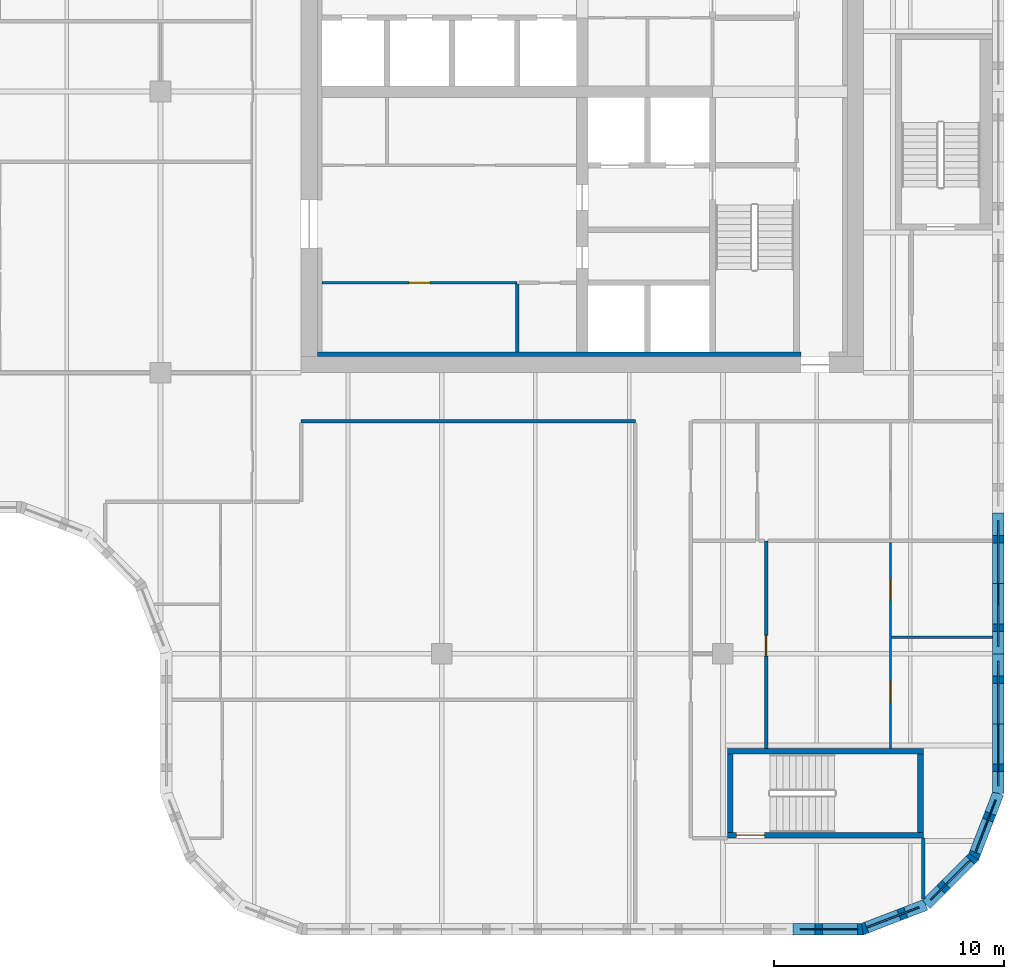
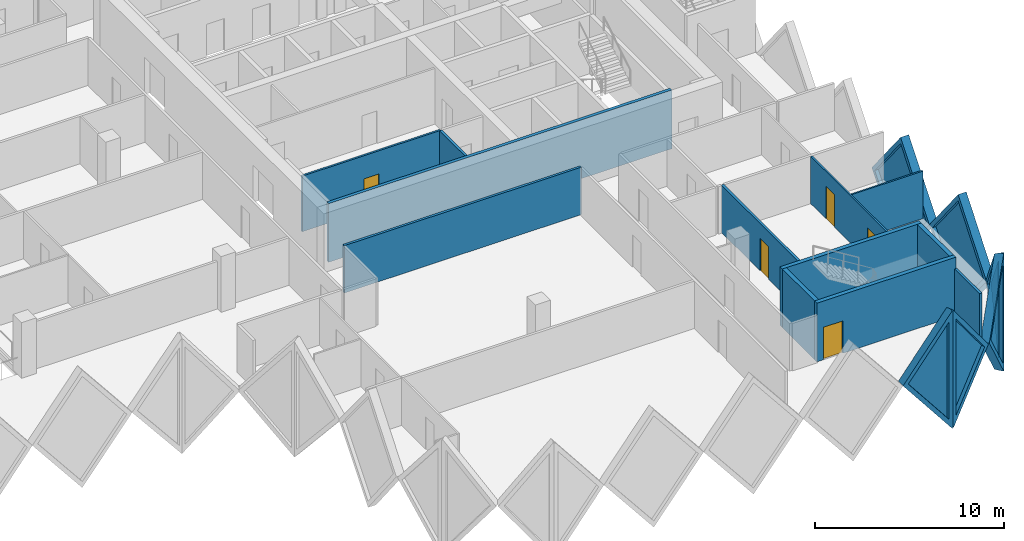
# One storey, part 5 of 12: 18 walls, 6 plates, 5 doors, 11 openings.
"""IFC4 building model written with IfcOpenShell, lengths in metres."""

from ifc_helpers import new_model, si_unit, direction, frame, frame_2d, origin, place, context, subcontext, project, spatial, polyline, rectangle, outline, extrude, faceted_brep, source, transform, mapped, material, layer, layer_set, type_object, element, fill, save


model = new_model("IFC4")

# Units and contexts
model_context = context("Model", 3, precision=1e-05, world=origin(), true_north=direction((0.0, 1.0)))
body_context = subcontext(model_context, "Body", "Model", "MODEL_VIEW")
ifc_project = project(units=[si_unit("LENGTHUNIT", "METRE"), si_unit("AREAUNIT", "SQUARE_METRE"), si_unit("VOLUMEUNIT", "CUBIC_METRE"), si_unit("PLANEANGLEUNIT", "RADIAN"), si_unit("MASSUNIT", "GRAM", prefix="KILO")], contexts=[model_context])

# Site, building, storey
site_placement = place(None, origin())
site = spatial("IfcSite", under=ifc_project, at=site_placement, CompositionType="ELEMENT")
building_placement = place(site_placement, origin())
building = spatial("IfcBuilding", under=site, at=building_placement, Name="Tessera Gate Towers", CompositionType="ELEMENT")
storey_placement = place(building_placement, frame((0.0, 0.0, 135.39990234375)))
storey = spatial("IfcBuildingStorey", under=building, at=storey_placement, Name="L33", CompositionType="ELEMENT", Elevation=135.39990234375)

# Wall, opening, door
ifc_material_1 = material(Name="Concrete C40/50", Category="concrete")
ifc_layer_1 = layer(ifc_material_1, 0.25)
ifc_layer_set_1 = layer_set([ifc_layer_1], Name="CORE ENCLOSURE WALL 250")
wall_type_1 = type_object("IfcWallType", Name="CORE ENCLOSURE WALL 250", PredefinedType="SOLIDWALL", material=ifc_layer_set_1)
wall_1_placement = place(storey_placement, frame((57.5, 4.324951171875, 0.0), z_axis=(0.0, 0.0, 1.0), x_axis=(-1.0, 0.0, 0.0)))
wall_1 = element("IfcWall", 1, at=wall_1_placement, inside=storey, type_object=wall_type_1, Name="L33 ST4 enclosure wall", PredefinedType="SOLIDWALL", context=body_context, shape_type="SweptSolid", body=[
    extrude(rectangle(XDim=8.5, YDim=0.25, at=frame_2d((4.25, 0.0))), origin(), (0.0, 0.0, 1.0), 3.800048828125),
])
shared_shape_1 = source(origin(), body_context, "Body", "SweptSolid", [
    extrude(rectangle(XDim=1.199951171875, YDim=2.10009765625, at=frame_2d((0.60009765625, 1.050048828125))), frame((0.0, 0.135009765625, 0.0), z_axis=(0.0, -1.0, 0.0), x_axis=(1.0, 0.0, 0.0)), (0.0, 0.0, 1.0), 0.27001953125),
])
opening_1_placement = place(wall_1_placement, frame((6.89990234375, 0.0, 0.0)))
opening_1 = element("IfcOpeningElement", 2, at=opening_1_placement, cuts=wall_1, Name="Opening SD-ST4-1", PredefinedType="OPENING", context=body_context, shape_type="MappedRepresentation", body=[
    mapped(shared_shape_1, transform((0.0, 0.0, 0.0), scale=1.0)),
])
ifc_material_2 = material(Name="Hollow steel fire door", Category="steel")
door_type_1 = type_object("IfcDoorType", Name="CORE DOOR SD 1200x2100", OperationType="NOTDEFINED", PredefinedType="DOOR", material=ifc_material_2)
shared_shape_2 = source(origin(), body_context, "Body", "SweptSolid", [
    extrude(rectangle(XDim=1.199951171875, YDim=2.10009765625, at=frame_2d((0.60009765625, 1.050048828125))), frame((0.0, 0.02490234375, 0.0), z_axis=(0.0, -1.0, 0.0), x_axis=(1.0, 0.0, 0.0)), (0.0, 0.0, 1.0), 0.050048828125),
])
door_1_placement = place(opening_1_placement, origin())
door_1 = element("IfcDoor", 3, at=door_1_placement, inside=storey, type_object=door_type_1, Name="Stair door", OperationType="SINGLE_SWING_RIGHT", OverallHeight=2.10009765625, OverallWidth=1.199951171875, PredefinedType="DOOR", context=body_context, shape_type="MappedRepresentation", body=[
    mapped(shared_shape_2, transform((0.0, 0.0, 0.0), scale=1.0)),
])
fill(opening_1, door_1)

# Walls
wall_2_placement = place(storey_placement, frame((49.125, 4.449951171875, 0.0), z_axis=(0.0, 0.0, 1.0), x_axis=(0.0, 1.0, 0.0)))
element("IfcWall", 4, at=wall_2_placement, inside=storey, type_object=wall_type_1, Name="L33 ST4 enclosure wall", PredefinedType="SOLIDWALL", context=body_context, shape_type="SweptSolid", body=[
    extrude(rectangle(XDim=3.400146484375, YDim=0.25, at=frame_2d((1.7001953125, 0.0))), origin(), (0.0, 0.0, 1.0), 3.800048828125),
])
wall_3_placement = place(storey_placement, frame((49.0, 7.97509765625, 0.0), z_axis=(0.0, 0.0, 1.0), x_axis=(1.0, 0.0, 0.0)))
element("IfcWall", 5, at=wall_3_placement, inside=storey, type_object=wall_type_1, Name="L33 ST4 enclosure wall", PredefinedType="SOLIDWALL", context=body_context, shape_type="SweptSolid", body=[
    extrude(rectangle(XDim=8.5, YDim=0.25, at=frame_2d((4.25, 0.0))), origin(), (0.0, 0.0, 1.0), 3.800048828125),
])
wall_4_placement = place(storey_placement, frame((57.375, 7.85009765625, 0.0), z_axis=(0.0, 0.0, 1.0), x_axis=(0.0, -1.0, 0.0)))
element("IfcWall", 6, at=wall_4_placement, inside=storey, type_object=wall_type_1, Name="L33 ST4 enclosure wall", PredefinedType="SOLIDWALL", context=body_context, shape_type="SweptSolid", body=[
    extrude(rectangle(XDim=3.400146484375, YDim=0.25, at=frame_2d((1.7001953125, 0.0))), origin(), (0.0, 0.0, 1.0), 3.800048828125),
])

# Wall, opening, door
ifc_material_3 = material(Name="Gypsum board on steel studs", Category="steel")
ifc_layer_2 = layer(ifc_material_3, 0.1201171875)
ifc_layer_set_2 = layer_set([ifc_layer_2], Name="CORE PARTITION 120")
wall_type_2 = type_object("IfcWallType", Name="CORE PARTITION 120", PredefinedType="PARTITIONING", material=ifc_layer_set_2)
wall_5_placement = place(storey_placement, frame((39.875, 28.300048828125, 0.0), z_axis=(0.0, 0.0, 1.0), x_axis=(-1.0, 0.0, 0.0)))
wall_5 = element("IfcWall", 7, at=wall_5_placement, inside=storey, type_object=wall_type_2, Name="L33 core partition", PredefinedType="PARTITIONING", context=body_context, shape_type="SweptSolid", body=[
    extrude(rectangle(XDim=8.47509765625, YDim=0.1201171875, at=frame_2d((4.237548828125, 0.0))), origin(), (0.0, 0.0, 1.0), 3.60009765625),
])
shared_shape_3 = source(origin(), body_context, "Body", "SweptSolid", [
    extrude(rectangle(XDim=0.89990234375, YDim=2.10009765625, at=frame_2d((0.449951171875, 1.050048828125))), frame((0.0, 0.070068359375, 0.0), z_axis=(0.0, -1.0, 0.0), x_axis=(1.0, 0.0, 0.0)), (0.0, 0.0, 1.0), 0.14013671875),
])
opening_2_placement = place(wall_5_placement, frame((3.78759765625, 0.0, 0.0)))
opening_2 = element("IfcOpeningElement", 8, at=opening_2_placement, cuts=wall_5, Name="Opening RD-T1-22-09", PredefinedType="OPENING", context=body_context, shape_type="MappedRepresentation", body=[
    mapped(shared_shape_3, transform((0.0, 0.0, 0.0), scale=1.0)),
])
ifc_material_4 = material(Name="Hollow steel fire door", Category="steel")
door_type_2 = type_object("IfcDoorType", Name="CORE DOOR RD 900x2100", OperationType="NOTDEFINED", PredefinedType="DOOR", material=ifc_material_4)
shared_shape_4 = source(origin(), body_context, "Body", "SweptSolid", [
    extrude(rectangle(XDim=0.89990234375, YDim=2.10009765625, at=frame_2d((0.449951171875, 1.050048828125))), frame((0.0, 0.02490234375, 0.0), z_axis=(0.0, -1.0, 0.0), x_axis=(1.0, 0.0, 0.0)), (0.0, 0.0, 1.0), 0.050048828125),
])
door_2_placement = place(opening_2_placement, origin())
door_2 = element("IfcDoor", 9, at=door_2_placement, inside=storey, type_object=door_type_2, Name="Core room door", OperationType="SINGLE_SWING_RIGHT", OverallHeight=2.10009765625, OverallWidth=0.89990234375, PredefinedType="DOOR", context=body_context, shape_type="MappedRepresentation", body=[
    mapped(shared_shape_4, transform((0.0, 0.0, 0.0), scale=1.0)),
])
fill(opening_2, door_2)

# Walls
ifc_material_5 = material(Name="Concrete C60/75", Category="concrete")
ifc_layer_3 = layer(ifc_material_5, 0.199951171875)
ifc_layer_set_3 = layer_set([ifc_layer_3], Name="CORE WALL THICKENING 200")
wall_type_3 = type_object("IfcWallType", Name="CORE WALL THICKENING 200", PredefinedType="SOLIDWALL", material=ifc_layer_set_3)
wall_6_placement = place(storey_placement, frame((31.199951171875, 25.199951171875, 0.0), z_axis=(0.0, 0.0, 1.0), x_axis=(1.0, 0.0, 0.0)))
element("IfcWall", 10, at=wall_6_placement, inside=storey, type_object=wall_type_3, Name="Core wall thickening S L33", PredefinedType="SOLIDWALL", context=body_context, shape_type="SweptSolid", body=[
    extrude(rectangle(XDim=21.0, YDim=0.199951171875, at=frame_2d((10.5, 0.0))), origin(), (0.0, 0.0, 1.0), 3.800048828125),
])
ifc_material_6 = material(Name="Gypsum board on steel studs, mineral wool", Category="steel")
ifc_layer_4 = layer(ifc_material_6, 0.14990234375)
ifc_layer_set_4 = layer_set([ifc_layer_4], Name="CORRIDOR WALL 150")
wall_type_4 = type_object("IfcWallType", Name="CORRIDOR WALL 150", PredefinedType="PARTITIONING", material=ifc_layer_set_4)
wall_7_placement = place(storey_placement, frame((57.5, 1.55908203125, 0.0), z_axis=(0.0, 0.0, 1.0), x_axis=(0.0, 1.0, 0.0)))
element("IfcWall", 11, at=wall_7_placement, inside=storey, type_object=wall_type_4, Name="T1-L33-PW-002", PredefinedType="PARTITIONING", context=body_context, shape_type="SweptSolid", body=[
    extrude(rectangle(XDim=2.640869140625, YDim=0.14990234375, at=frame_2d((1.3203125, 0.0))), origin(), (0.0, 0.0, 1.0), 3.067138671875),
])
wall_8_placement = place(storey_placement, frame((30.5, 22.300048828125, 0.0), z_axis=(0.0, 0.0, 1.0), x_axis=(1.0, 0.0, 0.0)))
element("IfcWall", 12, at=wall_8_placement, inside=storey, type_object=wall_type_4, Name="T1-L33-PW-026", PredefinedType="PARTITIONING", context=body_context, shape_type="SweptSolid", body=[
    extrude(rectangle(XDim=14.5, YDim=0.14990234375, at=frame_2d((7.25, 0.0))), origin(), (0.0, 0.0, 1.0), 3.067138671875),
])

# Wall, openings, doors
ifc_material_7 = material(Name="Gypsum board on steel studs", Category="steel")
ifc_layer_5 = layer(ifc_material_7, 0.10009765625)
ifc_layer_set_5 = layer_set([ifc_layer_5], Name="PARTITION 100")
wall_type_5 = type_object("IfcWallType", Name="PARTITION 100", PredefinedType="PARTITIONING", material=ifc_layer_set_5)
wall_9_placement = place(storey_placement, frame((56.076904296875, 17.02392578125, 0.0), z_axis=(0.0, 0.0, 1.0), x_axis=(0.0, -1.0, 0.0)))
wall_9 = element("IfcWall", 13, at=wall_9_placement, inside=storey, type_object=wall_type_5, Name="T1-L33-PW-008", PredefinedType="PARTITIONING", context=body_context, shape_type="SweptSolid", body=[
    extrude(rectangle(XDim=8.923828125, YDim=0.10009765625, at=frame_2d((4.4619140625, 0.0))), origin(), (0.0, 0.0, 1.0), 3.067138671875),
])
shared_shape_5 = source(origin(), body_context, "Body", "SweptSolid", [
    extrude(rectangle(XDim=0.89990234375, YDim=2.10009765625, at=frame_2d((0.449951171875, 1.050048828125))), frame((0.0, 0.06005859375, 0.0), z_axis=(0.0, -1.0, 0.0), x_axis=(1.0, 0.0, 0.0)), (0.0, 0.0, 1.0), 0.1201171875),
])
opening_3_placement = place(wall_9_placement, frame((1.60791015625, 0.0, 0.0)))
opening_3 = element("IfcOpeningElement", 14, at=opening_3_placement, cuts=wall_9, Name="Opening D190-A12-02", PredefinedType="OPENING", context=body_context, shape_type="MappedRepresentation", body=[
    mapped(shared_shape_5, transform((0.0, 0.0, 0.0), scale=1.0)),
])
opening_4_placement = place(wall_9_placement, frame((6.02392578125, 0.0, 0.0)))
opening_4 = element("IfcOpeningElement", 15, at=opening_4_placement, cuts=wall_9, Name="Opening D190-A12-08", PredefinedType="OPENING", context=body_context, shape_type="MappedRepresentation", body=[
    mapped(shared_shape_5, transform((0.0, 0.0, 0.0), scale=1.0)),
])
ifc_material_8 = material(Name="Timber door leaf in steel frame", Category="steel")
door_type_3 = type_object("IfcDoorType", Name="INTERNAL DOOR 900 NOT RATED", OperationType="NOTDEFINED", PredefinedType="DOOR", material=ifc_material_8)
door_3_placement = place(opening_3_placement, origin())
door_3 = element("IfcDoor", 16, at=door_3_placement, inside=storey, type_object=door_type_3, Name="T1-L33-PD-003", OperationType="SINGLE_SWING_RIGHT", OverallHeight=2.10009765625, OverallWidth=0.89990234375, PredefinedType="DOOR", context=body_context, shape_type="MappedRepresentation", body=[
    mapped(shared_shape_4, transform((0.0, 0.0, 0.0), scale=1.0)),
])
fill(opening_3, door_3)
door_4_placement = place(opening_4_placement, origin())
door_4 = element("IfcDoor", 17, at=door_4_placement, inside=storey, type_object=door_type_3, Name="T1-L33-PD-011", OperationType="SINGLE_SWING_RIGHT", OverallHeight=2.10009765625, OverallWidth=0.89990234375, PredefinedType="DOOR", context=body_context, shape_type="MappedRepresentation", body=[
    mapped(shared_shape_4, transform((0.0, 0.0, 0.0), scale=1.0)),
])
fill(opening_4, door_4)

# Walls
wall_10_placement = place(storey_placement, frame((56.1279296875, 12.9150390625, 0.0), z_axis=(0.0, 0.0, 1.0), x_axis=(1.0, 0.0, 0.0)))
element("IfcWall", 18, at=wall_10_placement, inside=storey, type_object=wall_type_5, Name="T1-L33-PW-013", PredefinedType="PARTITIONING", context=body_context, shape_type="SweptSolid", body=[
    extrude(rectangle(XDim=4.3720703125, YDim=0.10009765625, at=frame_2d((2.18603515625, 0.0))), origin(), (0.0, 0.0, 1.0), 3.067138671875),
])
ifc_material_9 = material(Name="Gypsum board on steel studs", Category="steel")
ifc_layer_6 = layer(ifc_material_9, 0.14990234375)
ifc_layer_set_6 = layer_set([ifc_layer_6], Name="SERVICE ROOM WALL 150")
wall_type_6 = type_object("IfcWallType", Name="SERVICE ROOM WALL 150", PredefinedType="PARTITIONING", material=ifc_layer_set_6)
wall_11_placement = place(storey_placement, frame((39.875, 25.300048828125, 0.0), z_axis=(0.0, 0.0, 1.0), x_axis=(0.0, 1.0, 0.0)))
element("IfcWall", 19, at=wall_11_placement, inside=storey, type_object=wall_type_6, Name="L33 service room wall", PredefinedType="PARTITIONING", context=body_context, shape_type="SweptSolid", body=[
    extrude(rectangle(XDim=2.93994140625, YDim=0.14990234375, at=frame_2d((1.469970703125, 0.0))), origin(), (0.0, 0.0, 1.0), 3.60009765625),
])

# Wall, opening, door
ifc_material_10 = material(Name="Gypsum board on steel studs, mineral wool", Category="steel")
ifc_layer_7 = layer(ifc_material_10, 0.14990234375)
ifc_layer_set_7 = layer_set([ifc_layer_7], Name="TENANCY WALL 150")
wall_type_7 = type_object("IfcWallType", Name="TENANCY WALL 150", PredefinedType="PARTITIONING", material=ifc_layer_set_7)
wall_12_placement = place(storey_placement, frame((50.675048828125, 17.10009765625, 0.0), z_axis=(0.0, 0.0, 1.0), x_axis=(0.0, -1.0, 0.0)))
wall_12 = element("IfcWall", 20, at=wall_12_placement, inside=storey, type_object=wall_type_7, Name="T1-L33-PW-007", PredefinedType="PARTITIONING", context=body_context, shape_type="SweptSolid", body=[
    extrude(rectangle(XDim=9.0, YDim=0.14990234375, at=frame_2d((4.5, 0.0))), origin(), (0.0, 0.0, 1.0), 3.067138671875),
])
shared_shape_6 = source(origin(), body_context, "Body", "SweptSolid", [
    extrude(rectangle(XDim=0.89990234375, YDim=2.10009765625, at=frame_2d((0.449951171875, 1.050048828125))), frame((0.0, 0.0849609375, 0.0), z_axis=(0.0, -1.0, 0.0), x_axis=(1.0, 0.0, 0.0)), (0.0, 0.0, 1.0), 0.169921875),
])
opening_5_placement = place(wall_12_placement, frame((4.10009765625, 0.0, 0.0)))
opening_5 = element("IfcOpeningElement", 21, at=opening_5_placement, cuts=wall_12, Name="Opening D190-A12-15", PredefinedType="OPENING", context=body_context, shape_type="MappedRepresentation", body=[
    mapped(shared_shape_6, transform((0.0, 0.0, 0.0), scale=1.0)),
])
door_5_placement = place(opening_5_placement, origin())
door_5 = element("IfcDoor", 22, at=door_5_placement, inside=storey, type_object=door_type_3, Name="T1-L33-PD-026", OperationType="SINGLE_SWING_RIGHT", OverallHeight=2.10009765625, OverallWidth=0.89990234375, PredefinedType="DOOR", context=body_context, shape_type="MappedRepresentation", body=[
    mapped(shared_shape_4, transform((0.0, 0.0, 0.0), scale=1.0)),
])
fill(opening_5, door_5)

# Wall, opening, plate
ifc_material_11 = material(Name="Precast concrete C60/75 white", Category="concrete")
ifc_layer_8 = layer(ifc_material_11, 0.5)
ifc_layer_set_8 = layer_set([ifc_layer_8], Name="TS1 tessera")
wall_type_8 = type_object("IfcWallType", Name="TS1 tessera", PredefinedType="SOLIDWALL", material=ifc_layer_set_8)
shared_shape_7 = source(origin(), body_context, "Body", "SweptSolid", [
    extrude(outline(polyline([(3.050048828125, 0.0), (6.10009765625, 3.7998046875), (3.050048828125, 7.599853515625), (0.0, 3.7998046875), (3.050048828125, 0.0)])), frame((0.0, 0.25, 0.0), z_axis=(0.0, -1.0, 0.0), x_axis=(1.0, 0.0, 0.0)), (0.0, 0.0, 1.0), 0.5),
])
wall_13_placement = place(storey_placement, frame((60.75, 12.199951171875, -3.7998046875), z_axis=(0.0, 0.0, 1.0), x_axis=(0.0, 1.0, 0.0)))
wall_13 = element("IfcWall", 23, at=wall_13_placement, inside=storey, type_object=wall_type_8, Name="Precast tessera T1 TS1-0556", PredefinedType="SOLIDWALL", context=body_context, shape_type="MappedRepresentation", body=[
    mapped(shared_shape_7, transform((0.0, 0.0, 0.0), scale=1.0)),
])
shared_shape_8 = source(origin(), body_context, "Body", "SweptSolid", [
    extrude(outline(polyline([(3.050048828125, 0.3994140625), (5.779541015625, 3.7998046875), (3.050048828125, 7.200439453125), (0.320556640625, 3.7998046875), (3.050048828125, 0.3994140625)])), frame((0.0, 0.260009765625, 0.0), z_axis=(0.0, -1.0, 0.0), x_axis=(1.0, 0.0, 0.0)), (0.0, 0.0, 1.0), 0.52001953125),
])
opening_6_placement = place(wall_13_placement, origin())
opening_6 = element("IfcOpeningElement", 24, at=opening_6_placement, cuts=wall_13, Name="Opening T1-PL2-1138", PredefinedType="OPENING", context=body_context, shape_type="MappedRepresentation", body=[
    mapped(shared_shape_8, transform((0.0, 0.0, 0.0), scale=1.0)),
])
ifc_material_12 = material(Name="Low-e laminated glass", Category="glass")
ifc_layer_9 = layer(ifc_material_12, 0.06005859375)
ifc_layer_set_9 = layer_set([ifc_layer_9], Name="PL2 rhombic pane")
plate_type = type_object("IfcPlateType", Name="PL2 rhombic pane", PredefinedType="SHEET", material=ifc_layer_set_9)
shared_shape_9 = source(origin(), body_context, "Body", "SweptSolid", [
    extrude(outline(polyline([(3.050048828125, 0.3994140625), (5.779541015625, 3.7998046875), (3.050048828125, 7.200439453125), (0.320556640625, 3.7998046875), (3.050048828125, 0.3994140625)])), frame((0.0, 0.030029296875, 0.0), z_axis=(0.0, -1.0, 0.0), x_axis=(1.0, 0.0, 0.0)), (0.0, 0.0, 1.0), 0.06005859375),
])
plate_1_placement = place(opening_6_placement, origin())
plate_1 = element("IfcPlate", 25, at=plate_1_placement, inside=storey, type_object=plate_type, Name="Glass pane T1 PL2-1138", PredefinedType="SHEET", context=body_context, shape_type="MappedRepresentation", body=[
    mapped(shared_shape_9, transform((0.0, 0.0, 0.0), scale=1.0)),
])
fill(opening_6, plate_1)

ifc_material_13 = material(Name="Precast concrete C60/75 white", Category="concrete")
ifc_layer_10 = layer(ifc_material_13, 0.5)
ifc_layer_set_10 = layer_set([ifc_layer_10], Name="TS3 corner tessera")
wall_type_9 = type_object("IfcWallType", Name="TS3 corner tessera", PredefinedType="SOLIDWALL", material=ifc_layer_set_10)
shared_shape_10 = source(origin(), body_context, "Body", "Brep", [
    faceted_brep([(3.00341796875, -0.25, 0.0), (3.050048828125, -0.25, 0.06005859375), (3.050048828125, -0.25, 7.539794921875), (3.00341796875, -0.25, 7.599853515625), (0.0, -0.25, 3.7998046875), (0.0, 0.25, 3.7998046875), (2.956787109375, 0.25, 7.541015625), (2.956787109375, 0.25, 0.058837890625), (3.00341796875, 0.000244140625, 0.0), (3.00341796875, 0.000244140625, 7.599853515625)], [[[0, 1, 2, 3, 4]], [[5, 6, 7]], [[1, 0, 8]], [[9, 3, 2]], [[6, 5, 4, 3, 9]], [[5, 7, 8, 0, 4]], [[1, 8, 7, 6, 9, 2]]]),
])
wall_14_placement = place(storey_placement, frame((51.85009765625, 0.25, -3.7998046875), z_axis=(0.0, 0.0, 1.0), x_axis=(1.0, 0.0, 0.0)))
wall_14 = element("IfcWall", 26, at=wall_14_placement, inside=storey, type_object=wall_type_9, Name="Precast corner tessera T1 TS3-0747", PredefinedType="SOLIDWALL", context=body_context, shape_type="MappedRepresentation", body=[
    mapped(shared_shape_10, transform((0.0, 0.0, 0.0), scale=1.0)),
])
shared_shape_11 = source(origin(), body_context, "Body", "SweptSolid", [
    extrude(outline(polyline([(2.803466796875, 6.943603515625), (0.318603515625, 3.7998046875), (2.803466796875, 0.656005859375), (2.803466796875, 6.943603515625)])), frame((0.0, 0.260009765625, 0.0), z_axis=(0.0, -1.0, 0.0), x_axis=(1.0, 0.0, 0.0)), (0.0, 0.0, 1.0), 0.52001953125),
])
opening_7_placement = place(wall_14_placement, origin())
opening_7 = element("IfcOpeningElement", 27, at=opening_7_placement, cuts=wall_14, Name="Opening T1-PL2-1133", PredefinedType="OPENING", context=body_context, shape_type="MappedRepresentation", body=[
    mapped(shared_shape_11, transform((0.0, 0.0, 0.0), scale=1.0)),
])
shared_shape_12 = source(origin(), body_context, "Body", "SweptSolid", [
    extrude(outline(polyline([(2.803466796875, 6.943603515625), (0.318603515625, 3.7998046875), (2.803466796875, 0.656005859375), (2.803466796875, 6.943603515625)])), frame((0.0, 0.030029296875, 0.0), z_axis=(0.0, -1.0, 0.0), x_axis=(1.0, 0.0, 0.0)), (0.0, 0.0, 1.0), 0.06005859375),
])
plate_2_placement = place(opening_7_placement, origin())
plate_2 = element("IfcPlate", 28, at=plate_2_placement, inside=storey, type_object=plate_type, Name="Glass pane T1 PL2-1133", PredefinedType="SHEET", context=body_context, shape_type="MappedRepresentation", body=[
    mapped(shared_shape_12, transform((0.0, 0.0, 0.0), scale=1.0)),
])
fill(opening_7, plate_2)

shared_shape_13 = source(origin(), body_context, "Body", "Brep", [
    faceted_brep([(0.046630859375, -0.25, 0.0), (2.9970703125, -0.25, 3.7998046875), (0.046630859375, -0.25, 7.599853515625), (0.0, -0.25, 7.541015625), (0.0, -0.25, 0.058837890625), (0.09326171875, 0.25, 7.539794921875), (2.9443359375, 0.25, 3.867919921875), (2.9443359375, 0.25, 3.731689453125), (0.09326171875, 0.25, 0.06005859375), (2.9970703125, 0.00048828125, 3.7998046875), (0.046630859375, 0.0, 0.0), (0.046630859375, 0.0, 7.599853515625)], [[[0, 1, 2, 3, 4]], [[5, 6, 7, 8]], [[8, 7, 9, 1, 0, 10]], [[6, 5, 11, 2, 1, 9]], [[3, 2, 11]], [[10, 0, 4]], [[8, 10, 4, 3, 11, 5]], [[9, 7, 6]]]),
])
wall_15_placement = place(storey_placement, frame((54.81005859375, 0.233154296875, -3.7998046875), z_axis=(0.0, 0.0, 1.0), x_axis=(0.932990326376, 0.359901446078, 0.0)))
wall_15 = element("IfcWall", 29, at=wall_15_placement, inside=storey, type_object=wall_type_9, Name="Precast corner tessera T1 TS3-0748", PredefinedType="SOLIDWALL", context=body_context, shape_type="MappedRepresentation", body=[
    mapped(shared_shape_13, transform((0.0, 0.0, 0.0), scale=1.0)),
])
shared_shape_14 = source(origin(), body_context, "Body", "SweptSolid", [
    extrude(outline(polyline([(0.24658203125, 0.6650390625), (2.6806640625, 3.7998046875), (0.24658203125, 6.9345703125), (0.24658203125, 0.6650390625)])), frame((0.0, 0.260009765625, 0.0), z_axis=(0.0, -1.0, 0.0), x_axis=(1.0, 0.0, 0.0)), (0.0, 0.0, 1.0), 0.52001953125),
])
opening_8_placement = place(wall_15_placement, origin())
opening_8 = element("IfcOpeningElement", 30, at=opening_8_placement, cuts=wall_15, Name="Opening T1-PL2-1134", PredefinedType="OPENING", context=body_context, shape_type="MappedRepresentation", body=[
    mapped(shared_shape_14, transform((0.0, 0.0, 0.0), scale=1.0)),
])
shared_shape_15 = source(origin(), body_context, "Body", "SweptSolid", [
    extrude(outline(polyline([(0.24658203125, 0.6650390625), (2.6806640625, 3.7998046875), (0.24658203125, 6.9345703125), (0.24658203125, 0.6650390625)])), frame((0.0, 0.030029296875, 0.0), z_axis=(0.0, -1.0, 0.0), x_axis=(1.0, 0.0, 0.0)), (0.0, 0.0, 1.0), 0.06005859375),
])
plate_3_placement = place(opening_8_placement, origin())
plate_3 = element("IfcPlate", 31, at=plate_3_placement, inside=storey, type_object=plate_type, Name="Glass pane T1 PL2-1134", PredefinedType="SHEET", context=body_context, shape_type="MappedRepresentation", body=[
    mapped(shared_shape_15, transform((0.0, 0.0, 0.0), scale=1.0)),
])
fill(opening_8, plate_3)

shared_shape_16 = source(origin(), body_context, "Body", "Brep", [
    faceted_brep([(2.944091796875, -0.25, 0.0), (2.9970703125, -0.25, 0.068115234375), (2.9970703125, -0.25, 7.53173828125), (2.944091796875, -0.25, 7.599853515625), (0.0, -0.25, 3.7998046875), (0.052978515625, 0.25, 3.8681640625), (2.89111328125, 0.25, 7.53173828125), (2.89111328125, 0.25, 0.068115234375), (0.052978515625, 0.25, 3.7314453125), (2.944091796875, 0.000244140625, 0.0), (2.944091796875, 0.000244140625, 7.599853515625), (0.0, 0.0, 3.7998046875)], [[[0, 1, 2, 3, 4]], [[5, 6, 7, 8]], [[1, 0, 9]], [[10, 3, 2]], [[6, 5, 11, 4, 3, 10]], [[8, 7, 9, 0, 4, 11]], [[8, 11, 5]], [[1, 9, 7, 6, 10, 2]]]),
])
wall_16_placement = place(storey_placement, frame((57.606201171875, 1.31201171875, -3.7998046875), z_axis=(0.0, 0.0, 1.0), x_axis=(0.707147509625, 0.707066050402, 0.0)))
wall_16 = element("IfcWall", 32, at=wall_16_placement, inside=storey, type_object=wall_type_9, Name="Precast corner tessera T1 TS3-0749", PredefinedType="SOLIDWALL", context=body_context, shape_type="MappedRepresentation", body=[
    mapped(shared_shape_16, transform((0.0, 0.0, 0.0), scale=1.0)),
])
shared_shape_17 = source(origin(), body_context, "Body", "SweptSolid", [
    extrude(outline(polyline([(2.744140625, 6.93359375), (0.316162109375, 3.7998046875), (2.744140625, 0.666259765625), (2.744140625, 6.93359375)])), frame((0.0, 0.260009765625, 0.0), z_axis=(0.0, -1.0, 0.0), x_axis=(1.0, 0.0, 0.0)), (0.0, 0.0, 1.0), 0.52001953125),
])
opening_9_placement = place(wall_16_placement, origin())
opening_9 = element("IfcOpeningElement", 33, at=opening_9_placement, cuts=wall_16, Name="Opening T1-PL2-1135", PredefinedType="OPENING", context=body_context, shape_type="MappedRepresentation", body=[
    mapped(shared_shape_17, transform((0.0, 0.0, 0.0), scale=1.0)),
])
shared_shape_18 = source(origin(), body_context, "Body", "SweptSolid", [
    extrude(outline(polyline([(2.744140625, 6.93359375), (0.316162109375, 3.7998046875), (2.744140625, 0.666259765625), (2.744140625, 6.93359375)])), frame((0.0, 0.030029296875, 0.0), z_axis=(0.0, -1.0, 0.0), x_axis=(1.0, 0.0, 0.0)), (0.0, 0.0, 1.0), 0.06005859375),
])
plate_4_placement = place(opening_9_placement, origin())
plate_4 = element("IfcPlate", 34, at=plate_4_placement, inside=storey, type_object=plate_type, Name="Glass pane T1 PL2-1135", PredefinedType="SHEET", context=body_context, shape_type="MappedRepresentation", body=[
    mapped(shared_shape_18, transform((0.0, 0.0, 0.0), scale=1.0)),
])
fill(opening_9, plate_4)

shared_shape_19 = source(origin(), body_context, "Body", "Brep", [
    faceted_brep([(0.052978515625, -0.25, 0.0), (3.00341796875, -0.25, 3.7998046875), (0.052978515625, -0.25, 7.599853515625), (0.0, -0.25, 7.531494140625), (0.0, -0.25, 0.068359375), (0.10595703125, 0.25, 7.53173828125), (2.95703125, 0.25, 3.859619140625), (2.95703125, 0.25, 3.739990234375), (0.10595703125, 0.25, 0.068115234375), (3.00341796875, 0.00048828125, 3.7998046875), (0.052978515625, 0.0, 0.0), (0.052978515625, 0.0, 7.599853515625)], [[[0, 1, 2, 3, 4]], [[5, 6, 7, 8]], [[8, 7, 9, 1, 0, 10]], [[6, 5, 11, 2, 1, 9]], [[3, 2, 11]], [[10, 0, 4]], [[8, 10, 4, 3, 11, 5]], [[9, 7, 6]]]),
])
wall_17_placement = place(storey_placement, frame((59.6689453125, 3.34423828125, -3.7998046875), z_axis=(0.0, 0.0, 1.0), x_axis=(0.35992665181, 0.932980602862, 0.0)))
wall_17 = element("IfcWall", 35, at=wall_17_placement, inside=storey, type_object=wall_type_9, Name="Precast corner tessera T1 TS3-0750", PredefinedType="SOLIDWALL", context=body_context, shape_type="MappedRepresentation", body=[
    mapped(shared_shape_19, transform((0.0, 0.0, 0.0), scale=1.0)),
])
shared_shape_20 = source(origin(), body_context, "Body", "SweptSolid", [
    extrude(outline(polyline([(0.2529296875, 0.6650390625), (2.68701171875, 3.7998046875), (0.2529296875, 6.9345703125), (0.2529296875, 0.6650390625)])), frame((0.0, 0.260009765625, 0.0), z_axis=(0.0, -1.0, 0.0), x_axis=(1.0, 0.0, 0.0)), (0.0, 0.0, 1.0), 0.52001953125),
])
opening_10_placement = place(wall_17_placement, origin())
opening_10 = element("IfcOpeningElement", 36, at=opening_10_placement, cuts=wall_17, Name="Opening T1-PL2-1136", PredefinedType="OPENING", context=body_context, shape_type="MappedRepresentation", body=[
    mapped(shared_shape_20, transform((0.0, 0.0, 0.0), scale=1.0)),
])
shared_shape_21 = source(origin(), body_context, "Body", "SweptSolid", [
    extrude(outline(polyline([(0.2529296875, 0.6650390625), (2.68701171875, 3.7998046875), (0.2529296875, 6.9345703125), (0.2529296875, 0.6650390625)])), frame((0.0, 0.030029296875, 0.0), z_axis=(0.0, -1.0, 0.0), x_axis=(1.0, 0.0, 0.0)), (0.0, 0.0, 1.0), 0.06005859375),
])
plate_5_placement = place(opening_10_placement, origin())
plate_5 = element("IfcPlate", 37, at=plate_5_placement, inside=storey, type_object=plate_type, Name="Glass pane T1 PL2-1136", PredefinedType="SHEET", context=body_context, shape_type="MappedRepresentation", body=[
    mapped(shared_shape_21, transform((0.0, 0.0, 0.0), scale=1.0)),
])
fill(opening_10, plate_5)

shared_shape_22 = source(origin(), body_context, "Body", "Brep", [
    faceted_brep([(3.00341796875, -0.25, 0.0), (6.053466796875, -0.25, 3.7998046875), (3.00341796875, -0.25, 7.599853515625), (0.0, -0.25, 3.7998046875), (0.046630859375, 0.25, 3.858642578125), (3.00341796875, 0.25, 7.599853515625), (6.053466796875, 0.25, 3.7998046875), (3.00341796875, 0.25, 0.0), (0.046630859375, 0.25, 3.740966796875), (0.0, 0.0, 3.7998046875)], [[[0, 1, 2, 3]], [[4, 5, 6, 7, 8]], [[7, 6, 1, 0]], [[6, 5, 2, 1]], [[5, 4, 9, 3, 2]], [[8, 7, 0, 3, 9]], [[8, 9, 4]]]),
])
wall_18_placement = place(storey_placement, frame((60.75, 6.146484375, -3.7998046875), z_axis=(0.0, 0.0, 1.0), x_axis=(0.0, 1.0, 0.0)))
wall_18 = element("IfcWall", 38, at=wall_18_placement, inside=storey, type_object=wall_type_8, Name="Precast tessera T1 TS1-0555", PredefinedType="SOLIDWALL", context=body_context, shape_type="MappedRepresentation", body=[
    mapped(shared_shape_22, transform((0.0, 0.0, 0.0), scale=1.0)),
])
shared_shape_23 = source(origin(), body_context, "Body", "SweptSolid", [
    extrude(outline(polyline([(3.0048828125, 0.401123046875), (5.73291015625, 3.7998046875), (3.0048828125, 7.19873046875), (0.318603515625, 3.7998046875), (3.0048828125, 0.401123046875)])), frame((0.0, 0.260009765625, 0.0), z_axis=(0.0, -1.0, 0.0), x_axis=(1.0, 0.0, 0.0)), (0.0, 0.0, 1.0), 0.52001953125),
])
opening_11_placement = place(wall_18_placement, origin())
opening_11 = element("IfcOpeningElement", 39, at=opening_11_placement, cuts=wall_18, Name="Opening T1-PL2-1137", PredefinedType="OPENING", context=body_context, shape_type="MappedRepresentation", body=[
    mapped(shared_shape_23, transform((0.0, 0.0, 0.0), scale=1.0)),
])
shared_shape_24 = source(origin(), body_context, "Body", "SweptSolid", [
    extrude(outline(polyline([(3.0048828125, 0.401123046875), (5.73291015625, 3.7998046875), (3.0048828125, 7.19873046875), (0.318603515625, 3.7998046875), (3.0048828125, 0.401123046875)])), frame((0.0, 0.030029296875, 0.0), z_axis=(0.0, -1.0, 0.0), x_axis=(1.0, 0.0, 0.0)), (0.0, 0.0, 1.0), 0.06005859375),
])
plate_6_placement = place(opening_11_placement, origin())
plate_6 = element("IfcPlate", 40, at=plate_6_placement, inside=storey, type_object=plate_type, Name="Glass pane T1 PL2-1137", PredefinedType="SHEET", context=body_context, shape_type="MappedRepresentation", body=[
    mapped(shared_shape_24, transform((0.0, 0.0, 0.0), scale=1.0)),
])
fill(opening_11, plate_6)

save(model, "model.ifc")
